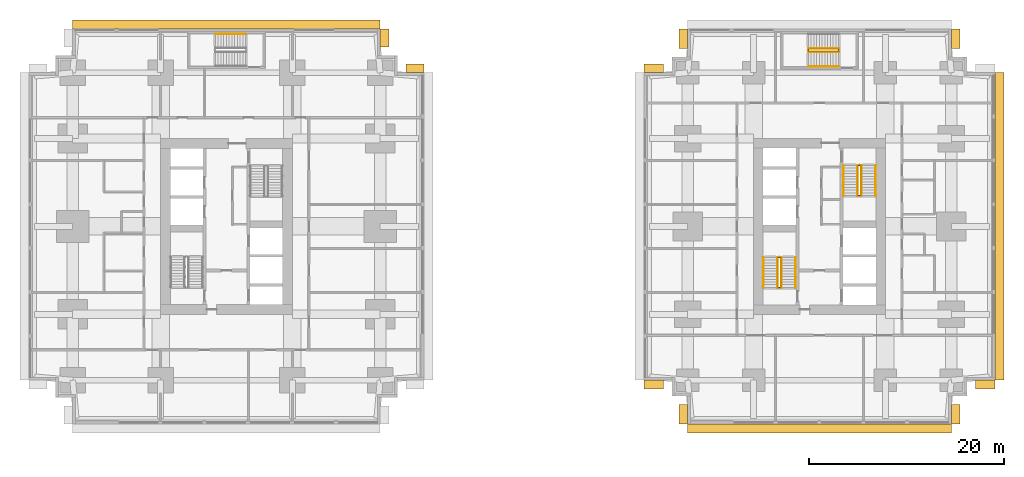
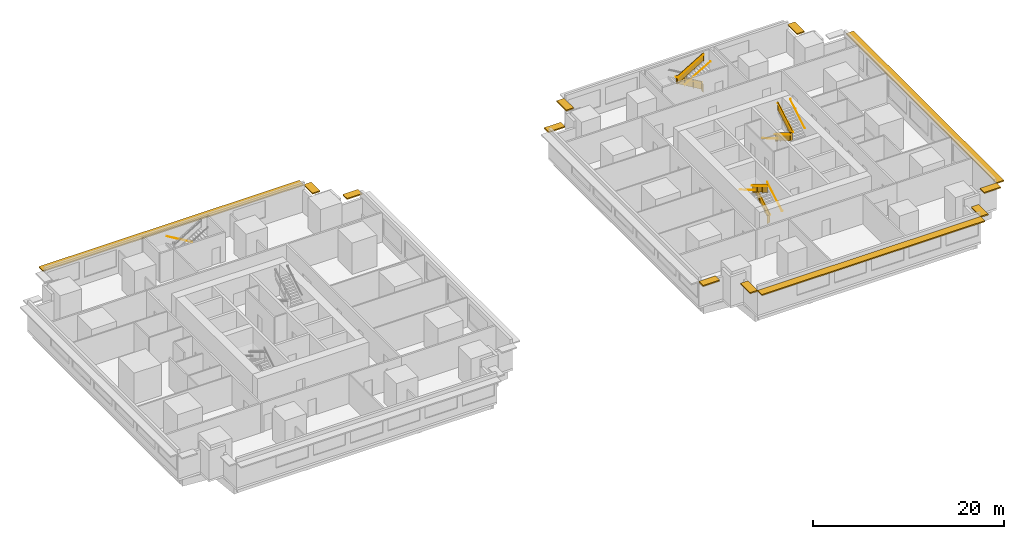
# One storey, part 10 of 11: 15 railings, 12 shading devices.
"""IFC4 building model written with IfcOpenShell, lengths in metres."""

from ifc_helpers import new_model, si_unit, direction, frame, origin, origin_2d, place, context, subcontext, project, spatial, polyline, rectangle, circle, outline, extrude, material, layer, layer_set, type_object, element, save


model = new_model("IFC4")

# Units and contexts
model_context = context("Model", 3, precision=1e-05, world=origin(), true_north=direction((0.0, 1.0)))
body_context = subcontext(model_context, "Body", "Model", "MODEL_VIEW")
ifc_project = project(units=[si_unit("LENGTHUNIT", "METRE"), si_unit("AREAUNIT", "SQUARE_METRE"), si_unit("VOLUMEUNIT", "CUBIC_METRE"), si_unit("PLANEANGLEUNIT", "RADIAN"), si_unit("MASSUNIT", "GRAM", prefix="KILO")], contexts=[model_context])

# Site, building, storey
site_placement = place(None, origin())
site = spatial("IfcSite", under=ifc_project, at=site_placement, CompositionType="ELEMENT")
building_placement = place(site_placement, origin())
building = spatial("IfcBuilding", under=site, at=building_placement, Name="Namib Vertical Campus", CompositionType="ELEMENT")
storey_placement = place(building_placement, frame((0.0, 0.0, 25.0)))
storey = spatial("IfcBuildingStorey", under=building, at=storey_placement, Name="L05", CompositionType="ELEMENT", Elevation=25.0)

# Railings
ifc_material_1 = material(Name="Steel handrail", Category="steel")
railing_type_1 = type_object("IfcRailingType", Name="Handrail 900", PredefinedType="HANDRAIL", material=ifc_material_1)
railing_1_placement = place(storey_placement, frame((78.550048828125, 14.0, 0.166748046875)))
element("IfcRailing", 1, at=railing_1_placement, inside=storey, type_object=railing_type_1, Name="Handrail HR1 B-S1 L05 1", PredefinedType="HANDRAIL", context=body_context, shape_type="SweptSolid", body=[
    extrude(circle(Radius=0.02392578125, at=origin_2d()), frame((0.0, 0.0, 0.8759765625), z_axis=(0.0, 0.859308565015, 0.511457515432), x_axis=(-1.0, 0.0, 0.0)), (0.0, 0.0, 1.0), 3.58447265625),
    extrude(circle(Radius=0.008056640625, at=origin_2d()), frame((0.0, 0.0, 0.8759765625), z_axis=(1.0, 0.0, 0.0), x_axis=(0.0, 0.0, 1.0)), (0.0, 0.0, 1.0), 0.050048828125),
    extrude(circle(Radius=0.008056640625, at=origin_2d()), frame((0.0, 1.026611328125, 1.48681640625), z_axis=(1.0, 0.0, 0.0), x_axis=(0.0, 0.0, 1.0)), (0.0, 0.0, 1.0), 0.050048828125),
    extrude(circle(Radius=0.008056640625, at=origin_2d()), frame((0.0, 2.053466796875, 2.09814453125), z_axis=(1.0, 0.0, 0.0), x_axis=(0.0, 0.0, 1.0)), (0.0, 0.0, 1.0), 0.050048828125),
    extrude(circle(Radius=0.008056640625, at=origin_2d()), frame((0.0, 3.080078125, 2.708984375), z_axis=(1.0, 0.0, 0.0), x_axis=(0.0, 0.0, 1.0)), (0.0, 0.0, 1.0), 0.050048828125),
])
railing_2_placement = place(storey_placement, frame((75.25, 17.080078125, 2.166748046875)))
element("IfcRailing", 2, at=railing_2_placement, inside=storey, type_object=railing_type_1, Name="Handrail HR1 B-S1 L05 2", PredefinedType="HANDRAIL", context=body_context, shape_type="SweptSolid", body=[
    extrude(circle(Radius=0.02392578125, at=origin_2d()), frame((0.0, 0.0, 0.8759765625), z_axis=(0.0, -0.859308565015, 0.511457515432), x_axis=(1.0, 0.0, 0.0)), (0.0, 0.0, 1.0), 3.58447265625),
    extrude(circle(Radius=0.008056640625, at=origin_2d()), frame((0.0, 0.0, 0.8759765625), z_axis=(-1.0, 0.0, 0.0), x_axis=(0.0, 0.0, 1.0)), (0.0, 0.0, 1.0), 0.050048828125),
    extrude(circle(Radius=0.008056640625, at=origin_2d()), frame((0.0, -1.026611328125, 1.48681640625), z_axis=(-1.0, 0.0, 0.0), x_axis=(0.0, 0.0, 1.0)), (0.0, 0.0, 1.0), 0.050048828125),
    extrude(circle(Radius=0.008056640625, at=origin_2d()), frame((0.0, -2.053466796875, 2.09814453125), z_axis=(-1.0, 0.0, 0.0), x_axis=(0.0, 0.0, 1.0)), (0.0, 0.0, 1.0), 0.050048828125),
    extrude(circle(Radius=0.008056640625, at=origin_2d()), frame((0.0, -3.080078125, 2.708984375), z_axis=(-1.0, 0.0, 0.0), x_axis=(0.0, 0.0, 1.0)), (0.0, 0.0, 1.0), 0.050048828125),
])
railing_3_placement = place(storey_placement, frame((77.10009765625, 14.0, 0.166748046875)))
element("IfcRailing", 3, at=railing_3_placement, inside=storey, type_object=railing_type_1, Name="Handrail HR1 B-S1 L05 1 at the well", PredefinedType="HANDRAIL", context=body_context, shape_type="SweptSolid", body=[
    extrude(circle(Radius=0.02392578125, at=origin_2d()), frame((0.0, 0.0, 0.8759765625), z_axis=(0.0, 0.859308565015, 0.511457515432), x_axis=(-1.0, 0.0, 0.0)), (0.0, 0.0, 1.0), 3.58447265625),
    extrude(circle(Radius=0.008056640625, at=origin_2d()), frame((0.0, 0.0, 0.8759765625), z_axis=(-1.0, 0.0, 0.0), x_axis=(0.0, 0.0, 1.0)), (0.0, 0.0, 1.0), 0.0400390625),
    extrude(circle(Radius=0.008056640625, at=origin_2d()), frame((0.0, 1.026611328125, 1.48681640625), z_axis=(-1.0, 0.0, 0.0), x_axis=(0.0, 0.0, 1.0)), (0.0, 0.0, 1.0), 0.0400390625),
    extrude(circle(Radius=0.008056640625, at=origin_2d()), frame((0.0, 2.053466796875, 2.09814453125), z_axis=(-1.0, 0.0, 0.0), x_axis=(0.0, 0.0, 1.0)), (0.0, 0.0, 1.0), 0.0400390625),
    extrude(circle(Radius=0.008056640625, at=origin_2d()), frame((0.0, 3.080078125, 2.708984375), z_axis=(-1.0, 0.0, 0.0), x_axis=(0.0, 0.0, 1.0)), (0.0, 0.0, 1.0), 0.0400390625),
])
railing_4_placement = place(storey_placement, frame((76.699951171875, 17.080078125, 2.166748046875)))
element("IfcRailing", 4, at=railing_4_placement, inside=storey, type_object=railing_type_1, Name="Handrail HR1 B-S1 L05 2 at the well", PredefinedType="HANDRAIL", context=body_context, shape_type="SweptSolid", body=[
    extrude(circle(Radius=0.02392578125, at=origin_2d()), frame((0.0, 0.0, 0.8759765625), z_axis=(0.0, -0.859308565015, 0.511457515432), x_axis=(1.0, 0.0, 0.0)), (0.0, 0.0, 1.0), 3.58447265625),
    extrude(circle(Radius=0.008056640625, at=origin_2d()), frame((0.0, 0.0, 0.8759765625), z_axis=(1.0, 0.0, 0.0), x_axis=(0.0, 0.0, 1.0)), (0.0, 0.0, 1.0), 0.0400390625),
    extrude(circle(Radius=0.008056640625, at=origin_2d()), frame((0.0, -1.026611328125, 1.48681640625), z_axis=(1.0, 0.0, 0.0), x_axis=(0.0, 0.0, 1.0)), (0.0, 0.0, 1.0), 0.0400390625),
    extrude(circle(Radius=0.008056640625, at=origin_2d()), frame((0.0, -2.053466796875, 2.09814453125), z_axis=(1.0, 0.0, 0.0), x_axis=(0.0, 0.0, 1.0)), (0.0, 0.0, 1.0), 0.0400390625),
    extrude(circle(Radius=0.008056640625, at=origin_2d()), frame((0.0, -3.080078125, 2.708984375), z_axis=(1.0, 0.0, 0.0), x_axis=(0.0, 0.0, 1.0)), (0.0, 0.0, 1.0), 0.0400390625),
])
railing_5_placement = place(storey_placement, frame((83.449951171875, 26.5, 0.166748046875)))
element("IfcRailing", 5, at=railing_5_placement, inside=storey, type_object=railing_type_1, Name="Handrail HR1 B-S2 L05 1", PredefinedType="HANDRAIL", context=body_context, shape_type="SweptSolid", body=[
    extrude(circle(Radius=0.02392578125, at=origin_2d()), frame((0.0, 0.0, 0.8759765625), z_axis=(0.0, -0.859308565015, 0.511457515432), x_axis=(1.0, 0.0, 0.0)), (0.0, 0.0, 1.0), 3.58447265625),
    extrude(circle(Radius=0.008056640625, at=origin_2d()), frame((0.0, 0.0, 0.8759765625), z_axis=(-1.0, 0.0, 0.0), x_axis=(0.0, 0.0, 1.0)), (0.0, 0.0, 1.0), 0.050048828125),
    extrude(circle(Radius=0.008056640625, at=origin_2d()), frame((0.0, -1.026611328125, 1.48681640625), z_axis=(-1.0, 0.0, 0.0), x_axis=(0.0, 0.0, 1.0)), (0.0, 0.0, 1.0), 0.050048828125),
    extrude(circle(Radius=0.008056640625, at=origin_2d()), frame((0.0, -2.053466796875, 2.09814453125), z_axis=(-1.0, 0.0, 0.0), x_axis=(0.0, 0.0, 1.0)), (0.0, 0.0, 1.0), 0.050048828125),
    extrude(circle(Radius=0.008056640625, at=origin_2d()), frame((0.0, -3.080078125, 2.708984375), z_axis=(-1.0, 0.0, 0.0), x_axis=(0.0, 0.0, 1.0)), (0.0, 0.0, 1.0), 0.050048828125),
])
railing_6_placement = place(storey_placement, frame((86.75, 23.419921875, 2.166748046875)))
element("IfcRailing", 6, at=railing_6_placement, inside=storey, type_object=railing_type_1, Name="Handrail HR1 B-S2 L05 2", PredefinedType="HANDRAIL", context=body_context, shape_type="SweptSolid", body=[
    extrude(circle(Radius=0.02392578125, at=origin_2d()), frame((0.0, 0.0, 0.8759765625), z_axis=(0.0, 0.859308565015, 0.511457515432), x_axis=(-1.0, 0.0, 0.0)), (0.0, 0.0, 1.0), 3.58447265625),
    extrude(circle(Radius=0.008056640625, at=origin_2d()), frame((0.0, 0.0, 0.8759765625), z_axis=(1.0, 0.0, 0.0), x_axis=(0.0, 0.0, 1.0)), (0.0, 0.0, 1.0), 0.050048828125),
    extrude(circle(Radius=0.008056640625, at=origin_2d()), frame((0.0, 1.026611328125, 1.48681640625), z_axis=(1.0, 0.0, 0.0), x_axis=(0.0, 0.0, 1.0)), (0.0, 0.0, 1.0), 0.050048828125),
    extrude(circle(Radius=0.008056640625, at=origin_2d()), frame((0.0, 2.053466796875, 2.09814453125), z_axis=(1.0, 0.0, 0.0), x_axis=(0.0, 0.0, 1.0)), (0.0, 0.0, 1.0), 0.050048828125),
    extrude(circle(Radius=0.008056640625, at=origin_2d()), frame((0.0, 3.080078125, 2.708984375), z_axis=(1.0, 0.0, 0.0), x_axis=(0.0, 0.0, 1.0)), (0.0, 0.0, 1.0), 0.050048828125),
])
railing_7_placement = place(storey_placement, frame((84.89990234375, 26.5, 0.166748046875)))
element("IfcRailing", 7, at=railing_7_placement, inside=storey, type_object=railing_type_1, Name="Handrail HR1 B-S2 L05 1 at the well", PredefinedType="HANDRAIL", context=body_context, shape_type="SweptSolid", body=[
    extrude(circle(Radius=0.02392578125, at=origin_2d()), frame((0.0, 0.0, 0.8759765625), z_axis=(0.0, -0.859308565015, 0.511457515432), x_axis=(1.0, 0.0, 0.0)), (0.0, 0.0, 1.0), 3.58447265625),
    extrude(circle(Radius=0.008056640625, at=origin_2d()), frame((0.0, 0.0, 0.8759765625), z_axis=(1.0, 0.0, 0.0), x_axis=(0.0, 0.0, 1.0)), (0.0, 0.0, 1.0), 0.0400390625),
    extrude(circle(Radius=0.008056640625, at=origin_2d()), frame((0.0, -1.026611328125, 1.48681640625), z_axis=(1.0, 0.0, 0.0), x_axis=(0.0, 0.0, 1.0)), (0.0, 0.0, 1.0), 0.0400390625),
    extrude(circle(Radius=0.008056640625, at=origin_2d()), frame((0.0, -2.053466796875, 2.09814453125), z_axis=(1.0, 0.0, 0.0), x_axis=(0.0, 0.0, 1.0)), (0.0, 0.0, 1.0), 0.0400390625),
    extrude(circle(Radius=0.008056640625, at=origin_2d()), frame((0.0, -3.080078125, 2.708984375), z_axis=(1.0, 0.0, 0.0), x_axis=(0.0, 0.0, 1.0)), (0.0, 0.0, 1.0), 0.0400390625),
])
railing_8_placement = place(storey_placement, frame((85.300048828125, 23.419921875, 2.166748046875)))
element("IfcRailing", 8, at=railing_8_placement, inside=storey, type_object=railing_type_1, Name="Handrail HR1 B-S2 L05 2 at the well", PredefinedType="HANDRAIL", context=body_context, shape_type="SweptSolid", body=[
    extrude(circle(Radius=0.02392578125, at=origin_2d()), frame((0.0, 0.0, 0.8759765625), z_axis=(0.0, 0.859308565015, 0.511457515432), x_axis=(-1.0, 0.0, 0.0)), (0.0, 0.0, 1.0), 3.58447265625),
    extrude(circle(Radius=0.008056640625, at=origin_2d()), frame((0.0, 0.0, 0.8759765625), z_axis=(-1.0, 0.0, 0.0), x_axis=(0.0, 0.0, 1.0)), (0.0, 0.0, 1.0), 0.0400390625),
    extrude(circle(Radius=0.008056640625, at=origin_2d()), frame((0.0, 1.026611328125, 1.48681640625), z_axis=(-1.0, 0.0, 0.0), x_axis=(0.0, 0.0, 1.0)), (0.0, 0.0, 1.0), 0.0400390625),
    extrude(circle(Radius=0.008056640625, at=origin_2d()), frame((0.0, 2.053466796875, 2.09814453125), z_axis=(-1.0, 0.0, 0.0), x_axis=(0.0, 0.0, 1.0)), (0.0, 0.0, 1.0), 0.0400390625),
    extrude(circle(Radius=0.008056640625, at=origin_2d()), frame((0.0, 3.080078125, 2.708984375), z_axis=(-1.0, 0.0, 0.0), x_axis=(0.0, 0.0, 1.0)), (0.0, 0.0, 1.0), 0.0400390625),
])
railing_9_placement = place(storey_placement, frame((22.199951171875, 39.949951171875, 0.166748046875)))
element("IfcRailing", 9, at=railing_9_placement, inside=storey, type_object=railing_type_1, Name="Handrail HR1 A-S3 L05 1", PredefinedType="HANDRAIL", context=body_context, shape_type="SweptSolid", body=[
    extrude(circle(Radius=0.02392578125, at=origin_2d()), frame((0.0, 0.0, 0.8759765625), z_axis=(-0.859290745958, 0.0, 0.51148745235), x_axis=(0.0, -1.0, 0.0)), (0.0, 0.0, 1.0), 3.584228515625),
    extrude(circle(Radius=0.008056640625, at=origin_2d()), frame((0.0, 0.0, 0.8759765625), z_axis=(0.0, 1.0, 0.0), x_axis=(0.0, 0.0, 1.0)), (0.0, 0.0, 1.0), 0.050048828125),
    extrude(circle(Radius=0.008056640625, at=origin_2d()), frame((-1.026611328125, 0.0, 1.48681640625), z_axis=(0.0, 1.0, 0.0), x_axis=(0.0, 0.0, 1.0)), (0.0, 0.0, 1.0), 0.050048828125),
    extrude(circle(Radius=0.008056640625, at=origin_2d()), frame((-2.05322265625, 0.0, 2.09814453125), z_axis=(0.0, 1.0, 0.0), x_axis=(0.0, 0.0, 1.0)), (0.0, 0.0, 1.0), 0.050048828125),
    extrude(circle(Radius=0.008056640625, at=origin_2d()), frame((-3.079833984375, 0.0, 2.708984375), z_axis=(0.0, 1.0, 0.0), x_axis=(0.0, 0.0, 1.0)), (0.0, 0.0, 1.0), 0.050048828125),
])
railing_10_placement = place(storey_placement, frame((79.8701171875, 36.64990234375, 2.166748046875)))
element("IfcRailing", 10, at=railing_10_placement, inside=storey, type_object=railing_type_1, Name="Handrail HR1 B-S3 L05 2", PredefinedType="HANDRAIL", context=body_context, shape_type="SweptSolid", body=[
    extrude(circle(Radius=0.02392578125, at=origin_2d()), frame((0.0, 0.0, 0.8759765625), z_axis=(0.859290745958, 0.0, 0.51148745235), x_axis=(0.0, 1.0, 0.0)), (0.0, 0.0, 1.0), 3.584228515625),
    extrude(circle(Radius=0.008056640625, at=origin_2d()), frame((0.0, 0.0, 0.8759765625), z_axis=(0.0, -1.0, 0.0), x_axis=(0.0, 0.0, 1.0)), (0.0, 0.0, 1.0), 0.050048828125),
    extrude(circle(Radius=0.008056640625, at=origin_2d()), frame((1.026611328125, 0.0, 1.48681640625), z_axis=(0.0, -1.0, 0.0), x_axis=(0.0, 0.0, 1.0)), (0.0, 0.0, 1.0), 0.050048828125),
    extrude(circle(Radius=0.008056640625, at=origin_2d()), frame((2.05322265625, 0.0, 2.09814453125), z_axis=(0.0, -1.0, 0.0), x_axis=(0.0, 0.0, 1.0)), (0.0, 0.0, 1.0), 0.050048828125),
    extrude(circle(Radius=0.008056640625, at=origin_2d()), frame((3.079833984375, 0.0, 2.708984375), z_axis=(0.0, -1.0, 0.0), x_axis=(0.0, 0.0, 1.0)), (0.0, 0.0, 1.0), 0.050048828125),
])
railing_11_placement = place(storey_placement, frame((82.949951171875, 38.5, 0.166748046875)))
element("IfcRailing", 11, at=railing_11_placement, inside=storey, type_object=railing_type_1, Name="Handrail HR1 B-S3 L05 1 at the well", PredefinedType="HANDRAIL", context=body_context, shape_type="SweptSolid", body=[
    extrude(circle(Radius=0.02392578125, at=origin_2d()), frame((0.0, 0.0, 0.8759765625), z_axis=(-0.859290745958, 0.0, 0.51148745235), x_axis=(0.0, -1.0, 0.0)), (0.0, 0.0, 1.0), 3.584228515625),
    extrude(circle(Radius=0.008056640625, at=origin_2d()), frame((0.0, 0.0, 0.8759765625), z_axis=(0.0, -1.0, 0.0), x_axis=(0.0, 0.0, 1.0)), (0.0, 0.0, 1.0), 0.0400390625),
    extrude(circle(Radius=0.008056640625, at=origin_2d()), frame((-1.026611328125, 0.0, 1.48681640625), z_axis=(0.0, -1.0, 0.0), x_axis=(0.0, 0.0, 1.0)), (0.0, 0.0, 1.0), 0.0400390625),
    extrude(circle(Radius=0.008056640625, at=origin_2d()), frame((-2.05322265625, 0.0, 2.09814453125), z_axis=(0.0, -1.0, 0.0), x_axis=(0.0, 0.0, 1.0)), (0.0, 0.0, 1.0), 0.0400390625),
    extrude(circle(Radius=0.008056640625, at=origin_2d()), frame((-3.079833984375, 0.0, 2.708984375), z_axis=(0.0, -1.0, 0.0), x_axis=(0.0, 0.0, 1.0)), (0.0, 0.0, 1.0), 0.0400390625),
])
railing_12_placement = place(storey_placement, frame((79.8701171875, 38.10009765625, 2.166748046875)))
element("IfcRailing", 12, at=railing_12_placement, inside=storey, type_object=railing_type_1, Name="Handrail HR1 B-S3 L05 2 at the well", PredefinedType="HANDRAIL", context=body_context, shape_type="SweptSolid", body=[
    extrude(circle(Radius=0.02392578125, at=origin_2d()), frame((0.0, 0.0, 0.8759765625), z_axis=(0.859290745958, 0.0, 0.51148745235), x_axis=(0.0, 1.0, 0.0)), (0.0, 0.0, 1.0), 3.584228515625),
    extrude(circle(Radius=0.008056640625, at=origin_2d()), frame((0.0, 0.0, 0.8759765625), z_axis=(0.0, 1.0, 0.0), x_axis=(0.0, 0.0, 1.0)), (0.0, 0.0, 1.0), 0.0400390625),
    extrude(circle(Radius=0.008056640625, at=origin_2d()), frame((1.026611328125, 0.0, 1.48681640625), z_axis=(0.0, 1.0, 0.0), x_axis=(0.0, 0.0, 1.0)), (0.0, 0.0, 1.0), 0.0400390625),
    extrude(circle(Radius=0.008056640625, at=origin_2d()), frame((2.05322265625, 0.0, 2.09814453125), z_axis=(0.0, 1.0, 0.0), x_axis=(0.0, 0.0, 1.0)), (0.0, 0.0, 1.0), 0.0400390625),
    extrude(circle(Radius=0.008056640625, at=origin_2d()), frame((3.079833984375, 0.0, 2.708984375), z_axis=(0.0, 1.0, 0.0), x_axis=(0.0, 0.0, 1.0)), (0.0, 0.0, 1.0), 0.0400390625),
])
ifc_material_2 = material(Name="Steel balustrade", Category="steel")
railing_type_2 = type_object("IfcRailingType", Name="Stair guard 1100", PredefinedType="GUARDRAIL", material=ifc_material_2)
railing_13_placement = place(storey_placement, frame((76.75, 14.0, 0.0)))
element("IfcRailing", 13, at=railing_13_placement, inside=storey, type_object=railing_type_2, Name="Stair guard GR1 B-S1 L05", PredefinedType="GUARDRAIL", context=body_context, shape_type="SweptSolid", body=[
    extrude(circle(Radius=0.02392578125, at=origin_2d()), frame((0.0, 0.0, 1.076171875), z_axis=(1.0, 0.0, 0.0), x_axis=(0.0, 1.0, 0.0)), (0.0, 0.0, 1.0), 0.300048828125),
    extrude(outline(polyline([(0.02099609375, 0.050048828125), (0.279052734375, 0.050048828125), (0.279052734375, 1.052001953125), (0.02099609375, 1.052001953125), (0.02099609375, 0.050048828125)])), frame((0.0, 0.010009765625, 0.0), z_axis=(0.0, -1.0, 0.0), x_axis=(1.0, 0.0, 0.0)), (0.0, 0.0, 1.0), 0.02001953125),
    extrude(circle(Radius=0.02392578125, at=origin_2d()), frame((0.300048828125, 0.0, 1.076171875), z_axis=(0.0, 0.0, 1.0), x_axis=(1.0, 0.0, 0.0)), (0.0, 0.0, 1.0), 0.166748046875),
    extrude(circle(Radius=0.02392578125, at=origin_2d()), frame((0.300048828125, 0.0, 1.24267578125), z_axis=(0.0, 0.859308565015, 0.511457515432), x_axis=(-1.0, 0.0, 0.0)), (0.0, 0.0, 1.0), 3.58447265625),
    extrude(outline(polyline([(0.02099609375, 0.0625), (3.05908203125, 1.870849609375), (3.05908203125, 2.872802734375), (0.02099609375, 1.064453125), (0.02099609375, 0.0625)])), frame((0.2900390625, 0.0, 0.166748046875), z_axis=(1.0, 0.0, 0.0), x_axis=(0.0, 1.0, 0.0)), (0.0, 0.0, 1.0), 0.02001953125),
    extrude(circle(Radius=0.02392578125, at=origin_2d()), frame((0.300048828125, 3.080078125, 3.076171875), z_axis=(-1.0, 0.0, 0.0), x_axis=(0.0, -1.0, 0.0)), (0.0, 0.0, 1.0), 0.300048828125),
    extrude(outline(polyline([(0.02099609375, 0.050048828125), (0.279052734375, 0.050048828125), (0.279052734375, 1.052001953125), (0.02099609375, 1.052001953125), (0.02099609375, 0.050048828125)])), frame((0.300048828125, 3.070068359375, 2.0), z_axis=(0.0, 1.0, 0.0), x_axis=(-1.0, 0.0, 0.0)), (0.0, 0.0, 1.0), 0.02001953125),
    extrude(circle(Radius=0.02392578125, at=origin_2d()), frame((0.0, 3.080078125, 3.076171875), z_axis=(0.0, 0.0, 1.0), x_axis=(1.0, 0.0, 0.0)), (0.0, 0.0, 1.0), 0.166748046875),
    extrude(circle(Radius=0.02392578125, at=origin_2d()), frame((0.0, 3.080078125, 3.24267578125), z_axis=(0.0, -0.859308565015, 0.511457515432), x_axis=(1.0, 0.0, 0.0)), (0.0, 0.0, 1.0), 3.58447265625),
    extrude(outline(polyline([(0.02099609375, 0.0625), (3.05908203125, 1.870849609375), (3.05908203125, 2.872802734375), (0.02099609375, 1.064453125), (0.02099609375, 0.0625)])), frame((0.010009765625, 3.080078125, 2.166748046875), z_axis=(-1.0, 0.0, 0.0), x_axis=(0.0, -1.0, 0.0)), (0.0, 0.0, 1.0), 0.02001953125),
    extrude(circle(Radius=0.02392578125, at=origin_2d()), frame((0.0, 0.0, 5.076171875), z_axis=(0.0, -1.0, 0.0), x_axis=(1.0, 0.0, 0.0)), (0.0, 0.0, 1.0), 0.050048828125),
    extrude(outline(polyline([(0.02099609375, 0.050048828125), (0.029052734375, 0.050048828125), (0.029052734375, 1.052001953125), (0.02099609375, 1.052001953125), (0.02099609375, 0.050048828125)])), frame((0.010009765625, 0.0, 4.0), z_axis=(-1.0, 0.0, 0.0), x_axis=(0.0, -1.0, 0.0)), (0.0, 0.0, 1.0), 0.02001953125),
    extrude(circle(Radius=0.02099609375, at=origin_2d()), origin(), (0.0, 0.0, 1.0), 1.052001953125),
    extrude(circle(Radius=0.02099609375, at=origin_2d()), frame((0.300048828125, 0.0, 0.166748046875)), (0.0, 0.0, 1.0), 1.052001953125),
    extrude(circle(Radius=0.02099609375, at=origin_2d()), frame((0.300048828125, 1.026611328125, 0.666748046875)), (0.0, 0.0, 1.0), 1.1630859375),
    extrude(circle(Radius=0.02099609375, at=origin_2d()), frame((0.300048828125, 2.053466796875, 1.33349609375)), (0.0, 0.0, 1.0), 1.107421875),
    extrude(circle(Radius=0.02099609375, at=origin_2d()), frame((0.300048828125, 3.080078125, 2.0)), (0.0, 0.0, 1.0), 1.052001953125),
    extrude(circle(Radius=0.02099609375, at=origin_2d()), frame((0.0, 3.080078125, 2.166748046875)), (0.0, 0.0, 1.0), 1.052001953125),
    extrude(circle(Radius=0.02099609375, at=origin_2d()), frame((0.0, 2.053466796875, 2.666748046875)), (0.0, 0.0, 1.0), 1.1630859375),
    extrude(circle(Radius=0.02099609375, at=origin_2d()), frame((0.0, 1.026611328125, 3.33349609375)), (0.0, 0.0, 1.0), 1.107421875),
    extrude(circle(Radius=0.02099609375, at=origin_2d()), frame((0.0, 0.0, 4.0)), (0.0, 0.0, 1.0), 1.052001953125),
    extrude(circle(Radius=0.02099609375, at=origin_2d()), frame((0.0, -0.050048828125, 4.0)), (0.0, 0.0, 1.0), 1.052001953125),
])
railing_14_placement = place(storey_placement, frame((85.25, 26.5, 0.0)))
element("IfcRailing", 14, at=railing_14_placement, inside=storey, type_object=railing_type_2, Name="Stair guard GR1 B-S2 L05", PredefinedType="GUARDRAIL", context=body_context, shape_type="SweptSolid", body=[
    extrude(circle(Radius=0.02392578125, at=origin_2d()), frame((0.0, 0.0, 1.076171875), z_axis=(-1.0, 0.0, 0.0), x_axis=(0.0, -1.0, 0.0)), (0.0, 0.0, 1.0), 0.300048828125),
    extrude(outline(polyline([(0.02099609375, 0.050048828125), (0.279052734375, 0.050048828125), (0.279052734375, 1.052001953125), (0.02099609375, 1.052001953125), (0.02099609375, 0.050048828125)])), frame((0.0, -0.010009765625, 0.0), z_axis=(0.0, 1.0, 0.0), x_axis=(-1.0, 0.0, 0.0)), (0.0, 0.0, 1.0), 0.02001953125),
    extrude(circle(Radius=0.02392578125, at=origin_2d()), frame((-0.300048828125, 0.0, 1.076171875), z_axis=(0.0, 0.0, 1.0), x_axis=(1.0, 0.0, 0.0)), (0.0, 0.0, 1.0), 0.166748046875),
    extrude(circle(Radius=0.02392578125, at=origin_2d()), frame((-0.300048828125, 0.0, 1.24267578125), z_axis=(0.0, -0.859308565015, 0.511457515432), x_axis=(1.0, 0.0, 0.0)), (0.0, 0.0, 1.0), 3.58447265625),
    extrude(outline(polyline([(0.02099609375, 0.0625), (3.05908203125, 1.870849609375), (3.05908203125, 2.872802734375), (0.02099609375, 1.064453125), (0.02099609375, 0.0625)])), frame((-0.2900390625, 0.0, 0.166748046875), z_axis=(-1.0, 0.0, 0.0), x_axis=(0.0, -1.0, 0.0)), (0.0, 0.0, 1.0), 0.02001953125),
    extrude(circle(Radius=0.02392578125, at=origin_2d()), frame((-0.300048828125, -3.080078125, 3.076171875), z_axis=(1.0, 0.0, 0.0), x_axis=(0.0, 1.0, 0.0)), (0.0, 0.0, 1.0), 0.300048828125),
    extrude(outline(polyline([(0.02099609375, 0.050048828125), (0.279052734375, 0.050048828125), (0.279052734375, 1.052001953125), (0.02099609375, 1.052001953125), (0.02099609375, 0.050048828125)])), frame((-0.300048828125, -3.070068359375, 2.0), z_axis=(0.0, -1.0, 0.0), x_axis=(1.0, 0.0, 0.0)), (0.0, 0.0, 1.0), 0.02001953125),
    extrude(circle(Radius=0.02392578125, at=origin_2d()), frame((0.0, -3.080078125, 3.076171875), z_axis=(0.0, 0.0, 1.0), x_axis=(1.0, 0.0, 0.0)), (0.0, 0.0, 1.0), 0.166748046875),
    extrude(circle(Radius=0.02392578125, at=origin_2d()), frame((0.0, -3.080078125, 3.24267578125), z_axis=(0.0, 0.859308565015, 0.511457515432), x_axis=(-1.0, 0.0, 0.0)), (0.0, 0.0, 1.0), 3.58447265625),
    extrude(outline(polyline([(0.02099609375, 0.0625), (3.05908203125, 1.870849609375), (3.05908203125, 2.872802734375), (0.02099609375, 1.064453125), (0.02099609375, 0.0625)])), frame((-0.010009765625, -3.080078125, 2.166748046875), z_axis=(1.0, 0.0, 0.0), x_axis=(0.0, 1.0, 0.0)), (0.0, 0.0, 1.0), 0.02001953125),
    extrude(circle(Radius=0.02392578125, at=origin_2d()), frame((0.0, 0.0, 5.076171875), z_axis=(0.0, 1.0, 0.0), x_axis=(-1.0, 0.0, 0.0)), (0.0, 0.0, 1.0), 0.050048828125),
    extrude(outline(polyline([(0.02099609375, 0.050048828125), (0.029052734375, 0.050048828125), (0.029052734375, 1.052001953125), (0.02099609375, 1.052001953125), (0.02099609375, 0.050048828125)])), frame((-0.010009765625, 0.0, 4.0), z_axis=(1.0, 0.0, 0.0), x_axis=(0.0, 1.0, 0.0)), (0.0, 0.0, 1.0), 0.02001953125),
    extrude(circle(Radius=0.02099609375, at=origin_2d()), origin(), (0.0, 0.0, 1.0), 1.052001953125),
    extrude(circle(Radius=0.02099609375, at=origin_2d()), frame((-0.300048828125, 0.0, 0.166748046875)), (0.0, 0.0, 1.0), 1.052001953125),
    extrude(circle(Radius=0.02099609375, at=origin_2d()), frame((-0.300048828125, -1.026611328125, 0.666748046875)), (0.0, 0.0, 1.0), 1.1630859375),
    extrude(circle(Radius=0.02099609375, at=origin_2d()), frame((-0.300048828125, -2.053466796875, 1.33349609375)), (0.0, 0.0, 1.0), 1.107421875),
    extrude(circle(Radius=0.02099609375, at=origin_2d()), frame((-0.300048828125, -3.080078125, 2.0)), (0.0, 0.0, 1.0), 1.052001953125),
    extrude(circle(Radius=0.02099609375, at=origin_2d()), frame((0.0, -3.080078125, 2.166748046875)), (0.0, 0.0, 1.0), 1.052001953125),
    extrude(circle(Radius=0.02099609375, at=origin_2d()), frame((0.0, -2.053466796875, 2.666748046875)), (0.0, 0.0, 1.0), 1.1630859375),
    extrude(circle(Radius=0.02099609375, at=origin_2d()), frame((0.0, -1.026611328125, 3.33349609375)), (0.0, 0.0, 1.0), 1.107421875),
    extrude(circle(Radius=0.02099609375, at=origin_2d()), frame((0.0, 0.0, 4.0)), (0.0, 0.0, 1.0), 1.052001953125),
    extrude(circle(Radius=0.02099609375, at=origin_2d()), frame((0.0, 0.050048828125, 4.0)), (0.0, 0.0, 1.0), 1.052001953125),
])
railing_15_placement = place(storey_placement, frame((82.949951171875, 38.14990234375, 0.0)))
element("IfcRailing", 15, at=railing_15_placement, inside=storey, type_object=railing_type_2, Name="Stair guard GR1 B-S3 L05", PredefinedType="GUARDRAIL", context=body_context, shape_type="SweptSolid", body=[
    extrude(circle(Radius=0.02392578125, at=origin_2d()), frame((0.0, 0.0, 1.076171875), z_axis=(0.0, 1.0, 0.0), x_axis=(-1.0, 0.0, 0.0)), (0.0, 0.0, 1.0), 0.300048828125),
    extrude(outline(polyline([(0.02099609375, 0.050048828125), (0.279052734375, 0.050048828125), (0.279052734375, 1.052001953125), (0.02099609375, 1.052001953125), (0.02099609375, 0.050048828125)])), frame((-0.010009765625, 0.0, 0.0), z_axis=(1.0, 0.0, 0.0), x_axis=(0.0, 1.0, 0.0)), (0.0, 0.0, 1.0), 0.02001953125),
    extrude(circle(Radius=0.02392578125, at=origin_2d()), frame((0.0, 0.300048828125, 1.076171875), z_axis=(0.0, 0.0, 1.0), x_axis=(1.0, 0.0, 0.0)), (0.0, 0.0, 1.0), 0.166748046875),
    extrude(circle(Radius=0.02392578125, at=origin_2d()), frame((0.0, 0.300048828125, 1.24267578125), z_axis=(-0.859290745958, 0.0, 0.51148745235), x_axis=(0.0, -1.0, 0.0)), (0.0, 0.0, 1.0), 3.584228515625),
    extrude(outline(polyline([(0.02099609375, 0.0625), (3.058837890625, 1.870849609375), (3.058837890625, 2.872802734375), (0.02099609375, 1.064453125), (0.02099609375, 0.0625)])), frame((0.0, 0.2900390625, 0.166748046875), z_axis=(0.0, 1.0, 0.0), x_axis=(-1.0, 0.0, 0.0)), (0.0, 0.0, 1.0), 0.02001953125),
    extrude(circle(Radius=0.02392578125, at=origin_2d()), frame((-3.079833984375, 0.300048828125, 3.076171875), z_axis=(0.0, -1.0, 0.0), x_axis=(1.0, 0.0, 0.0)), (0.0, 0.0, 1.0), 0.300048828125),
    extrude(outline(polyline([(0.02099609375, 0.050048828125), (0.279052734375, 0.050048828125), (0.279052734375, 1.052001953125), (0.02099609375, 1.052001953125), (0.02099609375, 0.050048828125)])), frame((-3.06982421875, 0.300048828125, 2.0), z_axis=(-1.0, 0.0, 0.0), x_axis=(0.0, -1.0, 0.0)), (0.0, 0.0, 1.0), 0.02001953125),
    extrude(circle(Radius=0.02392578125, at=origin_2d()), frame((-3.079833984375, 0.0, 3.076171875), z_axis=(0.0, 0.0, 1.0), x_axis=(1.0, 0.0, 0.0)), (0.0, 0.0, 1.0), 0.166748046875),
    extrude(circle(Radius=0.02392578125, at=origin_2d()), frame((-3.079833984375, 0.0, 3.24267578125), z_axis=(0.859290745958, 0.0, 0.51148745235), x_axis=(0.0, 1.0, 0.0)), (0.0, 0.0, 1.0), 3.584228515625),
    extrude(outline(polyline([(0.02099609375, 0.0625), (3.058837890625, 1.870849609375), (3.058837890625, 2.872802734375), (0.02099609375, 1.064453125), (0.02099609375, 0.0625)])), frame((-3.079833984375, 0.010009765625, 2.166748046875), z_axis=(0.0, -1.0, 0.0), x_axis=(1.0, 0.0, 0.0)), (0.0, 0.0, 1.0), 0.02001953125),
    extrude(circle(Radius=0.02392578125, at=origin_2d()), frame((0.0, 0.0, 5.076171875), z_axis=(1.0, 0.0, 0.0), x_axis=(0.0, 1.0, 0.0)), (0.0, 0.0, 1.0), 0.050048828125),
    extrude(outline(polyline([(0.02099609375, 0.050048828125), (0.029052734375, 0.050048828125), (0.029052734375, 1.052001953125), (0.02099609375, 1.052001953125), (0.02099609375, 0.050048828125)])), frame((0.0, 0.010009765625, 4.0), z_axis=(0.0, -1.0, 0.0), x_axis=(1.0, 0.0, 0.0)), (0.0, 0.0, 1.0), 0.02001953125),
    extrude(circle(Radius=0.02099609375, at=origin_2d()), origin(), (0.0, 0.0, 1.0), 1.052001953125),
    extrude(circle(Radius=0.02099609375, at=origin_2d()), frame((0.0, 0.300048828125, 0.166748046875)), (0.0, 0.0, 1.0), 1.052001953125),
    extrude(circle(Radius=0.02099609375, at=origin_2d()), frame((-1.026611328125, 0.300048828125, 0.666748046875)), (0.0, 0.0, 1.0), 1.1630859375),
    extrude(circle(Radius=0.02099609375, at=origin_2d()), frame((-2.05322265625, 0.300048828125, 1.33349609375)), (0.0, 0.0, 1.0), 1.107421875),
    extrude(circle(Radius=0.02099609375, at=origin_2d()), frame((-3.079833984375, 0.300048828125, 2.0)), (0.0, 0.0, 1.0), 1.052001953125),
    extrude(circle(Radius=0.02099609375, at=origin_2d()), frame((-3.079833984375, 0.0, 2.166748046875)), (0.0, 0.0, 1.0), 1.052001953125),
    extrude(circle(Radius=0.02099609375, at=origin_2d()), frame((-2.05322265625, 0.0, 2.666748046875)), (0.0, 0.0, 1.0), 1.1630859375),
    extrude(circle(Radius=0.02099609375, at=origin_2d()), frame((-1.026611328125, 0.0, 3.33349609375)), (0.0, 0.0, 1.0), 1.107421875),
    extrude(circle(Radius=0.02099609375, at=origin_2d()), frame((0.0, 0.0, 4.0)), (0.0, 0.0, 1.0), 1.052001953125),
    extrude(circle(Radius=0.02099609375, at=origin_2d()), frame((0.050048828125, 0.0, 4.0)), (0.0, 0.0, 1.0), 1.052001953125),
])

# Shading devices
ifc_material_3 = material(Name="Concrete C40/50 precast", Category="concrete")
ifc_layer = layer(ifc_material_3, 0.14990234375)
ifc_layer_set = layer_set([ifc_layer], Name="Concrete C40/50 precast")
shading_device_type = type_object("IfcShadingDeviceType", Name="Sunshade hood 900", PredefinedType="SHUTTER", material=ifc_layer_set)
for number, where, z_axis, x_axis, name in (
    (16, (39.574951171875, 36.449951171875, 3.10009765625), (0.0, 0.0, 1.0), (-1.0, 0.0, 0.0), "Sunshade SH1 L05 7"),
    (17, (36.449951171875, 39.574951171875, 3.10009765625), (0.0, 0.0, 1.0), (0.0, 1.0, 0.0), "Sunshade SH1 L05 10"),
):
    element("IfcShadingDevice", number, at=place(storey_placement, frame(where, z_axis=z_axis, x_axis=x_axis)), inside=storey, type_object=shading_device_type, Name=name, PredefinedType="SHUTTER", context=body_context, shape_type="SweptSolid", body=[
        extrude(rectangle(XDim=1.85009765625, YDim=0.89990234375, at=origin_2d()), origin(), (0.0, 0.0, 1.0), 0.14990234375),
    ])
shading_device_1_placement = place(storey_placement, frame((20.25, 40.949951171875, 3.10009765625), z_axis=(0.0, 0.0, 1.0), x_axis=(-1.0, 0.0, 0.0)))
element("IfcShadingDevice", 18, at=shading_device_1_placement, inside=storey, type_object=shading_device_type, Name="Sunshade SH1 L05 11", PredefinedType="SHUTTER", context=body_context, shape_type="SweptSolid", body=[
    extrude(rectangle(XDim=31.5, YDim=0.89990234375, at=origin_2d()), origin(), (0.0, 0.0, 1.0), 0.14990234375),
])
shading_device_2_placement = place(storey_placement, frame((81.0, -0.449951171875, 3.10009765625), z_axis=(0.0, 0.0, 1.0), x_axis=(1.0, 0.0, 0.0)))
element("IfcShadingDevice", 19, at=shading_device_2_placement, inside=storey, type_object=shading_device_type, Name="Sunshade SH1 L05 1", PredefinedType="SHUTTER", context=body_context, shape_type="SweptSolid", body=[
    extrude(rectangle(XDim=27.0, YDim=0.89990234375, at=origin_2d()), origin(), (0.0, 0.0, 1.0), 0.14990234375),
])
for number, where, z_axis, x_axis, name in (
    (20, (94.949951171875, 1.0, 3.10009765625), (0.0, 0.0, 1.0), (0.0, 1.0, 0.0), "Sunshade SH1 L05 2"),
    (21, (98.0, 4.050048828125, 3.10009765625), (0.0, 0.0, 1.0), (1.0, 0.0, 0.0), "Sunshade SH1 L05 5"),
):
    element("IfcShadingDevice", number, at=place(storey_placement, frame(where, z_axis=z_axis, x_axis=x_axis)), inside=storey, type_object=shading_device_type, Name=name, PredefinedType="SHUTTER", context=body_context, shape_type="SweptSolid", body=[
        extrude(rectangle(XDim=2.0, YDim=0.89990234375, at=origin_2d()), origin(), (0.0, 0.0, 1.0), 0.14990234375),
    ])
shading_device_3_placement = place(storey_placement, frame((99.449951171875, 20.25, 3.10009765625), z_axis=(0.0, 0.0, 1.0), x_axis=(0.0, 1.0, 0.0)))
element("IfcShadingDevice", 22, at=shading_device_3_placement, inside=storey, type_object=shading_device_type, Name="Sunshade SH1 L05 6", PredefinedType="SHUTTER", context=body_context, shape_type="SweptSolid", body=[
    extrude(rectangle(XDim=31.5, YDim=0.89990234375, at=origin_2d()), origin(), (0.0, 0.0, 1.0), 0.14990234375),
])
for number, where, z_axis, x_axis, name in (
    (23, (94.949951171875, 39.5, 3.10009765625), (0.0, 0.0, 1.0), (0.0, 1.0, 0.0), "Sunshade SH1 L05 10"),
    (24, (67.050048828125, 39.5, 3.10009765625), (0.0, 0.0, 1.0), (0.0, -1.0, 0.0), "Sunshade SH1 L05 12"),
    (25, (64.0, 36.449951171875, 3.10009765625), (0.0, 0.0, 1.0), (-1.0, 0.0, 0.0), "Sunshade SH1 L05 15"),
    (26, (64.0, 4.050048828125, 3.10009765625), (0.0, 0.0, 1.0), (1.0, 0.0, 0.0), "Sunshade SH1 L05 17"),
    (27, (67.050048828125, 1.0, 3.10009765625), (0.0, 0.0, 1.0), (0.0, -1.0, 0.0), "Sunshade SH1 L05 20"),
):
    element("IfcShadingDevice", number, at=place(storey_placement, frame(where, z_axis=z_axis, x_axis=x_axis)), inside=storey, type_object=shading_device_type, Name=name, PredefinedType="SHUTTER", context=body_context, shape_type="SweptSolid", body=[
        extrude(rectangle(XDim=2.0, YDim=0.89990234375, at=origin_2d()), origin(), (0.0, 0.0, 1.0), 0.14990234375),
    ])

save(model, "model.ifc")
